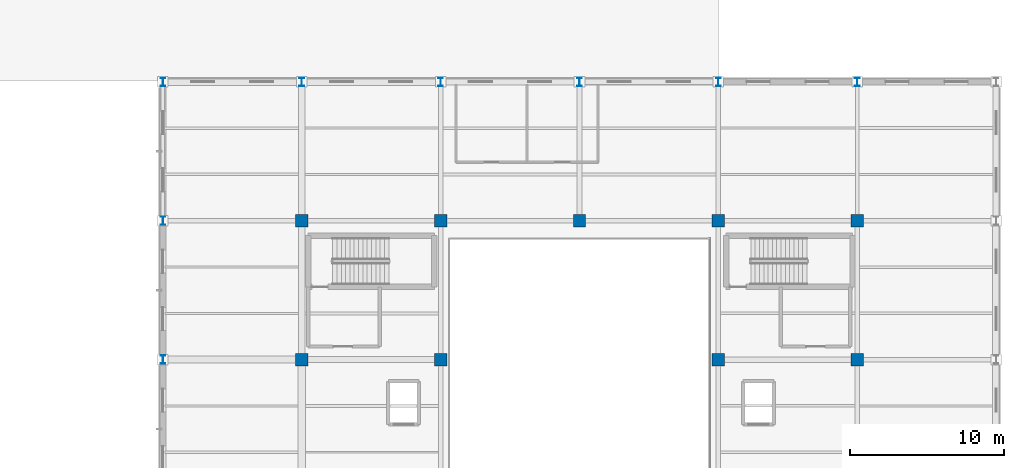
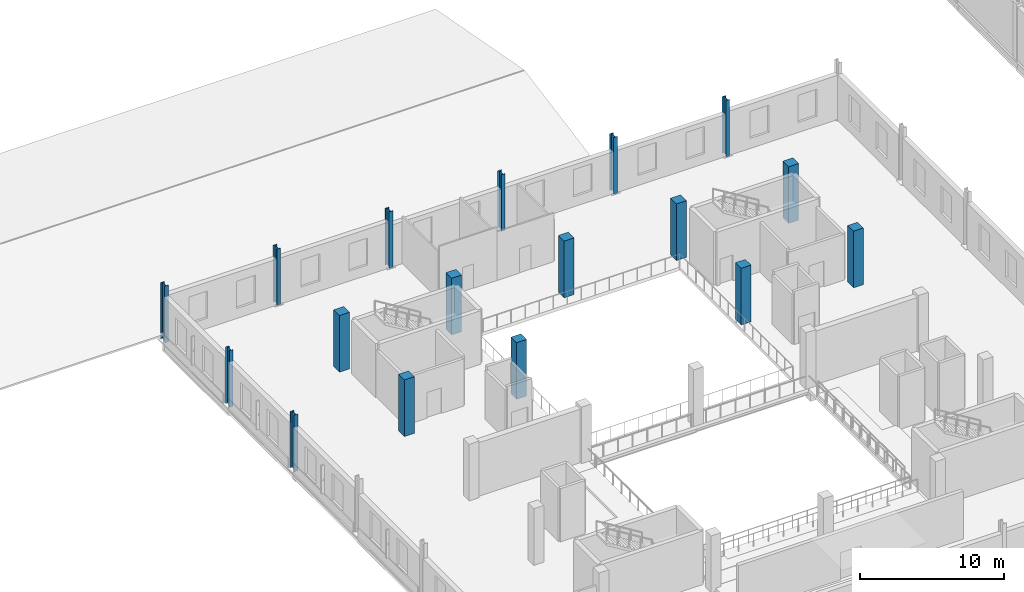
# One storey, part 2 of 35: 17 columns.
"""IFC4 building model written with IfcOpenShell, lengths in metres."""

from ifc_helpers import new_model, si_unit, direction, frame, origin, origin_2d, place, context, subcontext, project, spatial, rectangle, i_section, extrude, material, material_profile, profile_set, type_object, element, save


model = new_model("IFC4")

# Units and contexts
model_context = context("Model", 3, precision=1e-05, world=origin(), true_north=direction((0.0, 1.0)))
body_context = subcontext(model_context, "Body", "Model", "MODEL_VIEW")
ifc_project = project(units=[si_unit("LENGTHUNIT", "METRE"), si_unit("AREAUNIT", "SQUARE_METRE"), si_unit("VOLUMEUNIT", "CUBIC_METRE"), si_unit("PLANEANGLEUNIT", "RADIAN"), si_unit("MASSUNIT", "GRAM", prefix="KILO")], contexts=[model_context])

# Site, building, storey
site_placement = place(None, origin())
site = spatial("IfcSite", under=ifc_project, at=site_placement, CompositionType="ELEMENT")
building_placement = place(site_placement, origin())
building = spatial("IfcBuilding", under=site, at=building_placement, Name="Sundgate Opera House", CompositionType="ELEMENT")
storey_placement = place(building_placement, frame((0.0, 0.0, 21.60009765625)))
storey = spatial("IfcBuildingStorey", under=building, at=storey_placement, Name="L04", CompositionType="ELEMENT", Elevation=21.60009765625)

# Columns
ifc_material_1 = material(Name="Concrete C40/50", Category="concrete")
ifc_material_profile_1 = material_profile(ifc_material_1, rectangle(XDim=0.800048828125, YDim=0.800048828125, at=origin_2d()), Name="RC 800x800")
ifc_profile_set_1 = profile_set([ifc_material_profile_1], Name="Concrete C40/50")
column_type_1 = type_object("IfcColumnType", Name="CL-RC-800", PredefinedType="COLUMN", material=ifc_profile_set_1)
for number, where, z_axis, x_axis, name in (
    (1, (36.0, 69.0, 0.0), (0.0, 0.0, 1.0), (1.0, 0.0, 0.0), "L04 Column C0245"),
    (2, (36.0, 78.0, 0.0), (0.0, 0.0, 1.0), (1.0, 0.0, 0.0), "L04 Column C0253"),
    (3, (45.0, 69.0, 0.0), (0.0, 0.0, 1.0), (1.0, 0.0, 0.0), "L04 Column C0305"),
    (4, (45.0, 78.0, 0.0), (0.0, 0.0, 1.0), (1.0, 0.0, 0.0), "L04 Column C0313"),
    (5, (54.0, 78.0, 0.0), (0.0, 0.0, 1.0), (1.0, 0.0, 0.0), "L04 Column C0368"),
    (6, (63.0, 69.0, 0.0), (0.0, 0.0, 1.0), (1.0, 0.0, 0.0), "L04 Column C0421"),
    (7, (63.0, 78.0, 0.0), (0.0, 0.0, 1.0), (1.0, 0.0, 0.0), "L04 Column C0429"),
    (8, (72.0, 69.0, 0.0), (0.0, 0.0, 1.0), (1.0, 0.0, 0.0), "L04 Column C0488"),
    (9, (72.0, 78.0, 0.0), (0.0, 0.0, 1.0), (1.0, 0.0, 0.0), "L04 Column C0496"),
):
    element("IfcColumn", number, at=place(storey_placement, frame(where, z_axis=z_axis, x_axis=x_axis)), inside=storey, type_object=column_type_1, Name=name, PredefinedType="COLUMN", context=body_context, shape_type="SweptSolid", body=[
        extrude(rectangle(XDim=0.800048828125, YDim=0.800048828125, at=origin_2d()), origin(), (0.0, 0.0, 1.0), 4.7998046875),
    ])
ifc_material_2 = material(Name="Steel S355J2", Category="steel")
ifc_material_profile_2 = material_profile(ifc_material_2, i_section(OverallWidth=0.300048828125, OverallDepth=0.550048828125, WebThickness=0.014892578125, FlangeThickness=0.029052734375, at=origin_2d()), Name="HEB 550")
ifc_profile_set_2 = profile_set([ifc_material_profile_2], Name="Steel S355J2")
column_type_2 = type_object("IfcColumnType", Name="CL-STL-550", PredefinedType="COLUMN", material=ifc_profile_set_2)
for number, where, z_axis, x_axis, name in (
    (10, (27.0, 69.0, 0.0), (0.0, 0.0, 1.0), (1.0, 0.0, 0.0), "L04 Column C0182"),
    (11, (27.0, 78.0, 0.0), (0.0, 0.0, 1.0), (1.0, 0.0, 0.0), "L04 Column C0188"),
    (12, (27.0, 87.0, 0.0), (0.0, 0.0, 1.0), (1.0, 0.0, 0.0), "L04 Column C0194"),
    (13, (36.0, 87.0, 0.0), (0.0, 0.0, 1.0), (1.0, 0.0, 0.0), "L04 Column C0259"),
    (14, (45.0, 87.0, 0.0), (0.0, 0.0, 1.0), (1.0, 0.0, 0.0), "L04 Column C0319"),
    (15, (54.0, 87.0, 0.0), (0.0, 0.0, 1.0), (1.0, 0.0, 0.0), "L04 Column C0374"),
    (16, (63.0, 87.0, 0.0), (0.0, 0.0, 1.0), (1.0, 0.0, 0.0), "L04 Column C0435"),
    (17, (72.0, 87.0, 0.0), (0.0, 0.0, 1.0), (1.0, 0.0, 0.0), "L04 Column C0502"),
):
    element("IfcColumn", number, at=place(storey_placement, frame(where, z_axis=z_axis, x_axis=x_axis)), inside=storey, type_object=column_type_2, Name=name, PredefinedType="COLUMN", context=body_context, shape_type="SweptSolid", body=[
        extrude(i_section(OverallWidth=0.300048828125, OverallDepth=0.550048828125, WebThickness=0.014892578125, FlangeThickness=0.029052734375, at=origin_2d()), origin(), (0.0, 0.0, 1.0), 4.7998046875),
    ])

save(model, "model.ifc")
